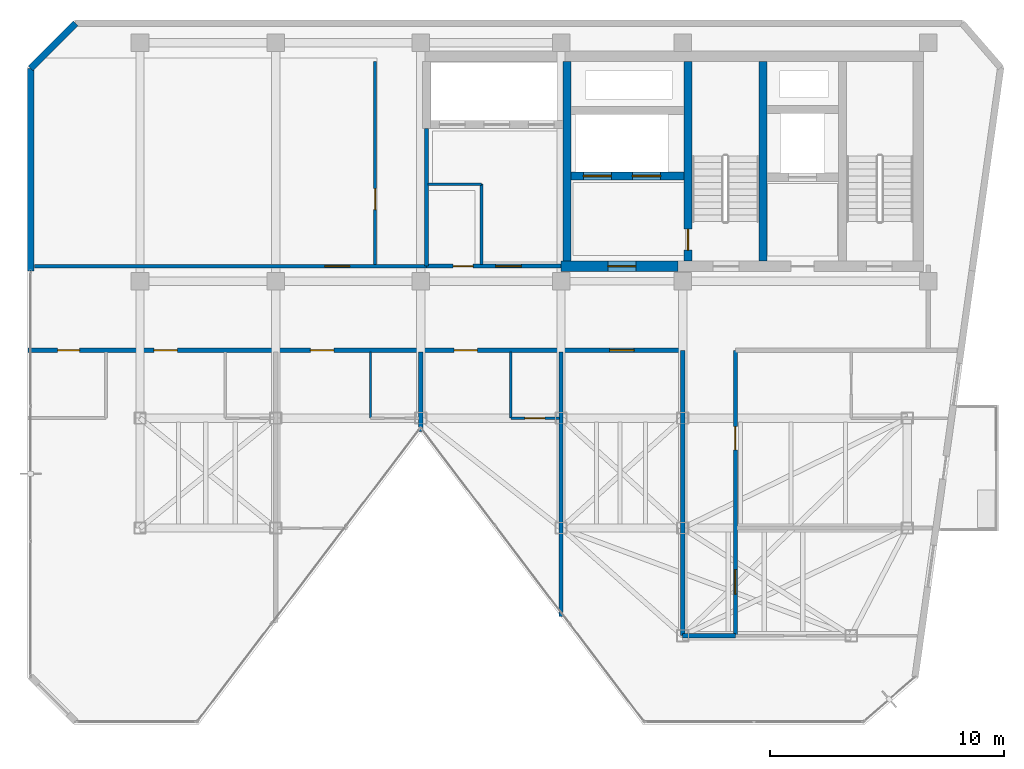
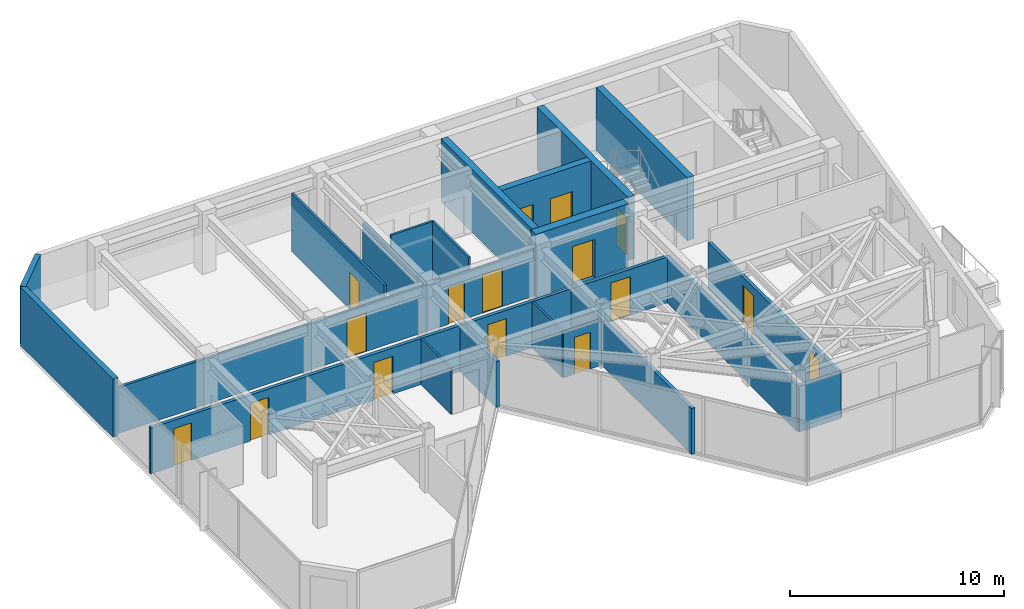
# One storey, part 15 of 19: 22 walls, 16 doors, 16 openings.
"""IFC4 building model written with IfcOpenShell, lengths in metres."""

from ifc_helpers import new_model, si_unit, direction, frame, frame_2d, origin, place, context, subcontext, project, spatial, rectangle, extrude, material, layer, layer_set, type_object, element, fill, save


model = new_model("IFC4")

# Units and contexts
model_context = context("Model", 3, precision=1e-05, world=origin(), true_north=direction((0.0, 1.0)))
body_context = subcontext(model_context, "Body", "Model", "MODEL_VIEW")
ifc_project = project(units=[si_unit("LENGTHUNIT", "METRE"), si_unit("AREAUNIT", "SQUARE_METRE"), si_unit("VOLUMEUNIT", "CUBIC_METRE"), si_unit("PLANEANGLEUNIT", "RADIAN"), si_unit("MASSUNIT", "GRAM", prefix="KILO")], contexts=[model_context])

# Site, building, storey
site_placement = place(None, origin())
site = spatial("IfcSite", under=ifc_project, at=site_placement, CompositionType="ELEMENT")
building_placement = place(site_placement, origin())
building = spatial("IfcBuilding", under=site, at=building_placement, Name="Kravanh Interchange Tower", CompositionType="ELEMENT")
storey_placement = place(building_placement, frame((0.0, 0.0, 274.199951171875)))
storey = spatial("IfcBuildingStorey", under=building, at=storey_placement, Name="L67", CompositionType="ELEMENT", Elevation=274.199951171875)

# Walls
ifc_material_1 = material(Name="Double Acoustic Gypsum Board and Mineral Wool")
ifc_layer_1 = layer(ifc_material_1, 0.1201171875)
ifc_layer_set_1 = layer_set([ifc_layer_1], Name="Acoustic Office Drywall Partition 120mm")
wall_type_1 = type_object("IfcWallType", Name="Acoustic Office Drywall Partition 120mm", PredefinedType="PARTITIONING", material=ifc_layer_set_1)
wall_1_placement = place(storey_placement, frame((47.39990234375, 38.068115234375, 0.0), z_axis=(0.0, 0.0, 1.0), x_axis=(0.0, 1.0, 0.0)))
element("IfcWall", 1, at=wall_1_placement, inside=storey, type_object=wall_type_1, Name="L67 Interior Partition 2", PredefinedType="PARTITIONING", context=body_context, shape_type="SweptSolid", body=[
    extrude(rectangle(XDim=3.431884765625, YDim=0.1201171875, at=frame_2d((1.7158203125, 0.0))), origin(), (0.0, 0.0, 1.0), 3.320068359375),
])
wall_2_placement = place(storey_placement, frame((45.117919921875, 41.5, 0.0), z_axis=(0.0, 0.0, 1.0), x_axis=(1.0, 0.0, 0.0)))
element("IfcWall", 2, at=wall_2_placement, inside=storey, type_object=wall_type_1, Name="L67 Interior Partition 3", PredefinedType="PARTITIONING", context=body_context, shape_type="SweptSolid", body=[
    extrude(rectangle(XDim=2.281982421875, YDim=0.1201171875, at=frame_2d((1.14111328125, 0.0))), origin(), (0.0, 0.0, 1.0), 3.320068359375),
])

# Wall, opening, door
wall_3_placement = place(storey_placement, frame((42.85009765625, 38.068115234375, 0.0), z_axis=(0.0, 0.0, 1.0), x_axis=(0.0, 1.0, 0.0)))
wall_3 = element("IfcWall", 3, at=wall_3_placement, inside=storey, type_object=wall_type_1, Name="L67 Interior Partition 7", PredefinedType="PARTITIONING", context=body_context, shape_type="SweptSolid", body=[
    extrude(rectangle(XDim=8.681884765625, YDim=0.1201171875, at=frame_2d((4.3408203125, 0.0))), origin(), (0.0, 0.0, 1.0), 3.320068359375),
])
opening_1_placement = place(wall_3_placement, frame((2.341796875, 0.0, 0.0)))
opening_1 = element("IfcOpeningElement", 4, at=opening_1_placement, cuts=wall_3, Name="Opening D-90", PredefinedType="OPENING", context=body_context, shape_type="SweptSolid", body=[
    extrude(rectangle(XDim=0.89990234375, YDim=2.10009765625, at=frame_2d((0.449951171875, 1.050048828125))), frame((0.0, 0.070068359375, 0.0), z_axis=(0.0, -1.0, 0.0), x_axis=(1.0, 0.0, 0.0)), (0.0, 0.0, 1.0), 0.14013671875),
])
ifc_material_2 = material(Name="Painted Solid-Core Timber", Category="wood")
door_type_1 = type_object("IfcDoorType", Name="Service Room Door 900x2100", OperationType="NOTDEFINED", PredefinedType="DOOR", material=ifc_material_2)
door_1_placement = place(opening_1_placement, origin())
door_1 = element("IfcDoor", 5, at=door_1_placement, inside=storey, type_object=door_type_1, Name="L67 Housekeeping Inner Door", OperationType="SINGLE_SWING_LEFT", OverallHeight=2.10009765625, OverallWidth=0.89990234375, PredefinedType="DOOR", context=body_context, shape_type="SweptSolid", body=[
    extrude(rectangle(XDim=0.89990234375, YDim=2.10009765625, at=frame_2d((0.449951171875, 1.050048828125))), frame((0.0, 0.02490234375, 0.0), z_axis=(0.0, -1.0, 0.0), x_axis=(1.0, 0.0, 0.0)), (0.0, 0.0, 1.0), 0.050048828125),
])
fill(opening_1, door_1)

# Wall
ifc_material_3 = material(Name="Concrete C60/75", Category="concrete")
ifc_layer_2 = layer(ifc_material_3, 0.35009765625)
ifc_layer_set_2 = layer_set([ifc_layer_2], Name="Core Shear Wall Concrete C60/75 350mm")
wall_type_2 = type_object("IfcWallType", Name="Core Shear Wall Concrete C60/75 350mm", PredefinedType="SHEAR", material=ifc_layer_set_2)
wall_4_placement = place(storey_placement, frame((59.425048828125, 38.22509765625, 0.0), z_axis=(0.0, 0.0, 1.0), x_axis=(0.0, 1.0, 0.0)))
element("IfcWall", 6, at=wall_4_placement, inside=storey, type_object=wall_type_2, Name="L67 Stair ST2 East Shear Wall", PredefinedType="SHEAR", context=body_context, shape_type="SweptSolid", body=[
    extrude(rectangle(XDim=8.52490234375, YDim=0.35009765625, at=frame_2d((4.262451171875, 0.0))), origin(), (0.0, 0.0, 1.0), 3.60009765625),
])

# Wall, opening, door
wall_5_placement = place(storey_placement, frame((56.22509765625, 38.22509765625, 0.0), z_axis=(0.0, 0.0, 1.0), x_axis=(0.0, 1.0, 0.0)))
wall_5 = element("IfcWall", 7, at=wall_5_placement, inside=storey, type_object=wall_type_2, Name="L67 Stair ST2 West Shear Wall", PredefinedType="SHEAR", context=body_context, shape_type="SweptSolid", body=[
    extrude(rectangle(XDim=8.52490234375, YDim=0.35009765625, at=frame_2d((4.262451171875, 0.0))), origin(), (0.0, 0.0, 1.0), 3.60009765625),
])
opening_2_placement = place(wall_5_placement, frame((0.455078125, 0.0, 0.0)))
opening_2 = element("IfcOpeningElement", 8, at=opening_2_placement, cuts=wall_5, Name="Opening D-STAIR-90", PredefinedType="OPENING", context=body_context, shape_type="SweptSolid", body=[
    extrude(rectangle(XDim=0.89990234375, YDim=2.14990234375, at=frame_2d((0.449951171875, 1.074951171875))), frame((0.0, 0.18505859375, 0.0), z_axis=(0.0, -1.0, 0.0), x_axis=(1.0, 0.0, 0.0)), (0.0, 0.0, 1.0), 0.3701171875),
])
ifc_material_4 = material(Name="Structural Steel S355", Category="steel")
door_type_2 = type_object("IfcDoorType", Name="Fire-Rated Stair Lobby Door 900x2150", OperationType="NOTDEFINED", PredefinedType="DOOR", material=ifc_material_4)
door_2_placement = place(opening_2_placement, origin())
door_2 = element("IfcDoor", 9, at=door_2_placement, inside=storey, type_object=door_type_2, Name="L67 Firefighting Lobby to Stair ST2 Door", OperationType="SINGLE_SWING_LEFT", OverallHeight=2.14990234375, OverallWidth=0.89990234375, PredefinedType="DOOR", context=body_context, shape_type="SweptSolid", body=[
    extrude(rectangle(XDim=0.89990234375, YDim=2.14990234375, at=frame_2d((0.449951171875, 1.074951171875))), frame((0.0, 0.02490234375, 0.0), z_axis=(0.0, -1.0, 0.0), x_axis=(1.0, 0.0, 0.0)), (0.0, 0.0, 1.0), 0.050048828125),
])
fill(opening_2, door_2)

# Wall, openings, doors
wall_6_placement = place(storey_placement, frame((51.22509765625, 41.85009765625, 0.0), z_axis=(0.0, 0.0, 1.0), x_axis=(1.0, 0.0, 0.0)))
wall_6 = element("IfcWall", 10, at=wall_6_placement, inside=storey, type_object=wall_type_2, Name="L67 Fire Lift Shaft South Wall", PredefinedType="SHEAR", context=body_context, shape_type="SweptSolid", body=[
    extrude(rectangle(XDim=4.824951171875, YDim=0.35009765625, at=frame_2d((2.41259765625, 0.0))), origin(), (0.0, 0.0, 1.0), 3.60009765625),
])
opening_3_placement = place(wall_6_placement, frame((0.52490234375, 0.0, 0.0)))
opening_3 = element("IfcOpeningElement", 11, at=opening_3_placement, cuts=wall_6, Name="Opening LD02", PredefinedType="OPENING", context=body_context, shape_type="SweptSolid", body=[
    extrude(rectangle(XDim=1.199951171875, YDim=2.199951171875, at=frame_2d((0.60009765625, 1.10009765625))), frame((0.0, 0.18505859375, 0.0), z_axis=(0.0, -1.0, 0.0), x_axis=(1.0, 0.0, 0.0)), (0.0, 0.0, 1.0), 0.3701171875),
])
opening_4_placement = place(wall_6_placement, frame((2.625, 0.0, 0.0)))
opening_4 = element("IfcOpeningElement", 12, at=opening_4_placement, cuts=wall_6, Name="Opening LD02", PredefinedType="OPENING", context=body_context, shape_type="SweptSolid", body=[
    extrude(rectangle(XDim=1.199951171875, YDim=2.199951171875, at=frame_2d((0.60009765625, 1.10009765625))), frame((0.0, 0.18505859375, 0.0), z_axis=(0.0, -1.0, 0.0), x_axis=(1.0, 0.0, 0.0)), (0.0, 0.0, 1.0), 0.3701171875),
])
ifc_material_5 = material(Name="Stainless Steel 316", Category="steel")
door_type_3 = type_object("IfcDoorType", Name="Fire and Service Lift Sliding Landing Door 1200x2200", OperationType="DOUBLE_DOOR_SLIDING", PredefinedType="DOOR", material=ifc_material_5)
door_3_placement = place(opening_3_placement, origin())
door_3 = element("IfcDoor", 13, at=door_3_placement, inside=storey, type_object=door_type_3, Name="L67 Lift FSAE-01 Landing Door", OperationType="DOUBLE_DOOR_SLIDING", OverallHeight=2.199951171875, OverallWidth=1.199951171875, PredefinedType="DOOR", context=body_context, shape_type="SweptSolid", body=[
    extrude(rectangle(XDim=1.199951171875, YDim=2.199951171875, at=frame_2d((0.60009765625, 1.10009765625))), frame((0.0, 0.02490234375, 0.0), z_axis=(0.0, -1.0, 0.0), x_axis=(1.0, 0.0, 0.0)), (0.0, 0.0, 1.0), 0.050048828125),
])
fill(opening_3, door_3)
door_4_placement = place(opening_4_placement, origin())
door_4 = element("IfcDoor", 14, at=door_4_placement, inside=storey, type_object=door_type_3, Name="L67 Lift FSAE-02 Landing Door", OperationType="DOUBLE_DOOR_SLIDING", OverallHeight=2.199951171875, OverallWidth=1.199951171875, PredefinedType="DOOR", context=body_context, shape_type="SweptSolid", body=[
    extrude(rectangle(XDim=1.199951171875, YDim=2.199951171875, at=frame_2d((0.60009765625, 1.10009765625))), frame((0.0, 0.02490234375, 0.0), z_axis=(0.0, -1.0, 0.0), x_axis=(1.0, 0.0, 0.0)), (0.0, 0.0, 1.0), 0.050048828125),
])
fill(opening_4, door_4)

# Wall
wall_7_placement = place(storey_placement, frame((51.050048828125, 38.22509765625, 0.0), z_axis=(0.0, 0.0, 1.0), x_axis=(0.0, 1.0, 0.0)))
element("IfcWall", 15, at=wall_7_placement, inside=storey, type_object=wall_type_2, Name="L67 Firefighting Lobby West Wall", PredefinedType="SHEAR", context=body_context, shape_type="SweptSolid", body=[
    extrude(rectangle(XDim=8.52490234375, YDim=0.35009765625, at=frame_2d((4.262451171875, 0.0))), origin(), (0.0, 0.0, 1.0), 3.60009765625),
])

# Wall, opening, door
ifc_material_6 = material(Name="Concrete C60/75", Category="concrete")
ifc_layer_3 = layer(ifc_material_6, 0.449951171875)
ifc_layer_set_3 = layer_set([ifc_layer_3], Name="Core Shear Wall Concrete C60/75 450mm")
wall_type_3 = type_object("IfcWallType", Name="Core Shear Wall Concrete C60/75 450mm", PredefinedType="SHEAR", material=ifc_layer_set_3)
wall_8_placement = place(storey_placement, frame((50.800048828125, 38.0, 0.0), z_axis=(0.0, 0.0, 1.0), x_axis=(1.0, 0.0, 0.0)))
wall_8 = element("IfcWall", 16, at=wall_8_placement, inside=storey, type_object=wall_type_3, Name="L67 Firefighting Lobby South Shear Wall", PredefinedType="SHEAR", context=body_context, shape_type="SweptSolid", body=[
    extrude(rectangle(XDim=5.0, YDim=0.449951171875, at=frame_2d((2.5, 0.0))), origin(), (0.0, 0.0, 1.0), 3.60009765625),
])
opening_5_placement = place(wall_8_placement, frame((2.0, 0.0, 0.0)))
opening_5 = element("IfcOpeningElement", 17, at=opening_5_placement, cuts=wall_8, Name="Opening D-FSAE-120", PredefinedType="OPENING", context=body_context, shape_type="SweptSolid", body=[
    extrude(rectangle(XDim=1.199951171875, YDim=2.199951171875, at=frame_2d((0.60009765625, 1.10009765625))), frame((0.0, 0.23486328125, 0.0), z_axis=(0.0, -1.0, 0.0), x_axis=(1.0, 0.0, 0.0)), (0.0, 0.0, 1.0), 0.469970703125),
])
ifc_material_7 = material(Name="Structural Steel S355", Category="steel")
door_type_4 = type_object("IfcDoorType", Name="Fire-Rated Refuge and FSAE Door 1200x2200", OperationType="NOTDEFINED", PredefinedType="DOOR", material=ifc_material_7)
door_5_placement = place(opening_5_placement, origin())
door_5 = element("IfcDoor", 18, at=door_5_placement, inside=storey, type_object=door_type_4, Name="L67 Firefighting Lobby Corridor Door", OperationType="SINGLE_SWING_RIGHT", OverallHeight=2.199951171875, OverallWidth=1.199951171875, PredefinedType="DOOR", context=body_context, shape_type="SweptSolid", body=[
    extrude(rectangle(XDim=1.199951171875, YDim=2.199951171875, at=frame_2d((0.60009765625, 1.10009765625))), frame((0.0, 0.02490234375, 0.0), z_axis=(0.0, -1.0, 0.0), x_axis=(1.0, 0.0, 0.0)), (0.0, 0.0, 1.0), 0.050048828125),
])
fill(opening_5, door_5)

# Walls
ifc_material_8 = material(Name="Moisture-Resistant Gypsum Board and Mineral Wool")
ifc_layer_4 = layer(ifc_material_8, 0.10009765625)
ifc_layer_set_4 = layer_set([ifc_layer_4], Name="En-Suite Moisture-Resistant Partition 100mm")
wall_type_4 = type_object("IfcWallType", Name="En-Suite Moisture-Resistant Partition 100mm", PredefinedType="PARTITIONING", material=ifc_layer_set_4)
for number, where, z_axis, x_axis, name in (
    (19, (42.64990234375, 31.5, 0.0), (0.0, 0.0, 1.0), (0.0, 1.0, 0.0), "L67 Interior Partition 24"),
    (20, (48.64990234375, 31.5, 0.0), (0.0, 0.0, 1.0), (0.0, 1.0, 0.0), "L67 Interior Partition 27"),
):
    element("IfcWall", number, at=place(storey_placement, frame(where, z_axis=z_axis, x_axis=x_axis)), inside=storey, type_object=wall_type_4, Name=name, PredefinedType="PARTITIONING", context=body_context, shape_type="SweptSolid", body=[
        extrude(rectangle(XDim=2.83203125, YDim=0.10009765625, at=frame_2d((1.416015625, 0.0))), origin(), (0.0, 0.0, 1.0), 2.6240234375),
    ])

# Wall, opening, door
wall_9_placement = place(storey_placement, frame((48.64990234375, 31.5, 0.0), z_axis=(0.0, 0.0, 1.0), x_axis=(1.0, 0.0, 0.0)))
wall_9 = element("IfcWall", 21, at=wall_9_placement, inside=storey, type_object=wall_type_4, Name="L67 Interior Partition 28", PredefinedType="PARTITIONING", context=body_context, shape_type="SweptSolid", body=[
    extrude(rectangle(XDim=2.08203125, YDim=0.10009765625, at=frame_2d((1.041015625, 0.0))), origin(), (0.0, 0.0, 1.0), 2.6240234375),
])
opening_6_placement = place(wall_9_placement, frame((0.607421875, 0.0, 0.0)))
opening_6 = element("IfcOpeningElement", 22, at=opening_6_placement, cuts=wall_9, Name="Opening D-85", PredefinedType="OPENING", context=body_context, shape_type="SweptSolid", body=[
    extrude(rectangle(XDim=0.85009765625, YDim=2.10009765625, at=frame_2d((0.425048828125, 1.050048828125))), frame((0.0, 0.06005859375, 0.0), z_axis=(0.0, -1.0, 0.0), x_axis=(1.0, 0.0, 0.0)), (0.0, 0.0, 1.0), 0.1201171875),
])
ifc_material_9 = material(Name="Engineered Teak Veneer Timber", Category="wood")
door_type_5 = type_object("IfcDoorType", Name="En-Suite Timber Door 850x2100", OperationType="NOTDEFINED", PredefinedType="DOOR", material=ifc_material_9)
door_6_placement = place(opening_6_placement, origin())
door_6 = element("IfcDoor", 23, at=door_6_placement, inside=storey, type_object=door_type_5, Name="L67 En-suite Bathroom Door", OperationType="SINGLE_SWING_LEFT", OverallHeight=2.10009765625, OverallWidth=0.85009765625, PredefinedType="DOOR", context=body_context, shape_type="SweptSolid", body=[
    extrude(rectangle(XDim=0.85009765625, YDim=2.10009765625, at=frame_2d((0.425048828125, 1.050048828125))), frame((0.0, 0.02490234375, 0.0), z_axis=(0.0, -1.0, 0.0), x_axis=(1.0, 0.0, 0.0)), (0.0, 0.0, 1.0), 0.050048828125),
])
fill(opening_6, door_6)

# Walls
ifc_material_10 = material(Name="Insulated Precast Concrete C40/50 with Bronze Cladding", Category="concrete")
ifc_layer_5 = layer(ifc_material_10, 0.280029296875)
ifc_layer_set_5 = layer_set([ifc_layer_5], Name="Exterior Insulated Concrete C40/50 Bronze Spandrel Wall 280mm")
wall_type_5 = type_object("IfcWallType", Name="Exterior Insulated Concrete C40/50 Bronze Spandrel Wall 280mm", PredefinedType="STANDARD", material=ifc_layer_set_5)
wall_10_placement = place(storey_placement, frame((28.1201171875, 37.800048828125, 0.0), z_axis=(0.0, 0.0, 1.0), x_axis=(0.0, 1.0, 0.0)))
element("IfcWall", 24, at=wall_10_placement, inside=storey, type_object=wall_type_5, Name="L67 Exterior Wall 1", PredefinedType="STANDARD", context=body_context, shape_type="SweptSolid", body=[
    extrude(rectangle(XDim=8.650146484375, YDim=0.280029296875, at=frame_2d((4.3251953125, 0.0))), origin(), (0.0, 0.0, 1.0), 3.320068359375),
])
wall_11_placement = place(storey_placement, frame((28.1201171875, 46.4501953125, 0.0), z_axis=(0.0, 0.0, 1.0), x_axis=(0.707106781187, 0.707106781187, 0.0)))
element("IfcWall", 25, at=wall_11_placement, inside=storey, type_object=wall_type_5, Name="L67 Exterior Wall 2", PredefinedType="STANDARD", context=body_context, shape_type="SweptSolid", body=[
    extrude(rectangle(XDim=2.72900390625, YDim=0.280029296875, at=frame_2d((1.364501953125, 0.0))), origin(), (0.0, 0.0, 1.0), 3.320068359375),
])

# Wall, openings, doors
ifc_material_11 = material(Name="Autoclaved Aerated Concrete C30/37 Blockwork", Category="masonry")
ifc_layer_6 = layer(ifc_material_11, 0.179931640625)
ifc_layer_set_6 = layer_set([ifc_layer_6], Name="Fire-Rated Lobby and Corridor Wall Concrete C30/37 180mm")
wall_type_6 = type_object("IfcWallType", Name="Fire-Rated Lobby and Corridor Wall Concrete C30/37 180mm", PredefinedType="STANDARD", material=ifc_layer_set_6)
wall_12_placement = place(storey_placement, frame((45.050048828125, 38.0, 0.0), z_axis=(0.0, 0.0, 1.0), x_axis=(1.0, 0.0, 0.0)))
wall_12 = element("IfcWall", 26, at=wall_12_placement, inside=storey, type_object=wall_type_6, Name="L67 High-Rise Lift Lobby Wall 1", PredefinedType="STANDARD", context=body_context, shape_type="SweptSolid", body=[
    extrude(rectangle(XDim=5.75, YDim=0.179931640625, at=frame_2d((2.875, 0.0))), origin(), (0.0, 0.0, 1.0), 2.6240234375),
])
opening_7_placement = place(wall_12_placement, frame((1.135009765625, 0.0, 0.0)))
opening_7 = element("IfcOpeningElement", 27, at=opening_7_placement, cuts=wall_12, Name="Opening D-85", PredefinedType="OPENING", context=body_context, shape_type="SweptSolid", body=[
    extrude(rectangle(XDim=0.85009765625, YDim=2.10009765625, at=frame_2d((0.425048828125, 1.050048828125))), frame((0.0, 0.10009765625, 0.0), z_axis=(0.0, -1.0, 0.0), x_axis=(1.0, 0.0, 0.0)), (0.0, 0.0, 1.0), 0.199951171875),
])
opening_8_placement = place(wall_12_placement, frame((2.949951171875, 0.0, 0.0)))
opening_8 = element("IfcOpeningElement", 28, at=opening_8_placement, cuts=wall_12, Name="Opening D-SHAFT-110", PredefinedType="OPENING", context=body_context, shape_type="SweptSolid", body=[
    extrude(rectangle(XDim=1.10009765625, YDim=2.199951171875, at=frame_2d((0.550048828125, 1.10009765625))), frame((0.0, 0.10009765625, 0.0), z_axis=(0.0, -1.0, 0.0), x_axis=(1.0, 0.0, 0.0)), (0.0, 0.0, 1.0), 0.199951171875),
])
door_7_placement = place(opening_7_placement, origin())
door_7 = element("IfcDoor", 29, at=door_7_placement, inside=storey, type_object=door_type_5, Name="L67 Core Linen Closet Door", OperationType="SINGLE_SWING_RIGHT", OverallHeight=2.10009765625, OverallWidth=0.85009765625, PredefinedType="DOOR", context=body_context, shape_type="SweptSolid", body=[
    extrude(rectangle(XDim=0.85009765625, YDim=2.10009765625, at=frame_2d((0.425048828125, 1.050048828125))), frame((0.0, 0.02490234375, 0.0), z_axis=(0.0, -1.0, 0.0), x_axis=(1.0, 0.0, 0.0)), (0.0, 0.0, 1.0), 0.050048828125),
])
fill(opening_7, door_7)
ifc_material_12 = material(Name="Fire-Rated Composite Timber Leaf", Category="wood")
door_type_6 = type_object("IfcDoorType", Name="Fire-Rated Core Support Door 1100x2200", OperationType="NOTDEFINED", PredefinedType="DOOR", material=ifc_material_12)
door_8_placement = place(opening_8_placement, origin())
door_8 = element("IfcDoor", 30, at=door_8_placement, inside=storey, type_object=door_type_6, Name="L67 High-Rise Lift Lobby Door", OperationType="SINGLE_SWING_LEFT", OverallHeight=2.199951171875, OverallWidth=1.10009765625, PredefinedType="DOOR", context=body_context, shape_type="SweptSolid", body=[
    extrude(rectangle(XDim=1.10009765625, YDim=2.199951171875, at=frame_2d((0.550048828125, 1.10009765625))), frame((0.0, 0.02490234375, 0.0), z_axis=(0.0, -1.0, 0.0), x_axis=(1.0, 0.0, 0.0)), (0.0, 0.0, 1.0), 0.050048828125),
])
fill(opening_8, door_8)

# Wall
wall_13_placement = place(storey_placement, frame((45.050048828125, 38.0, 0.0), z_axis=(0.0, 0.0, 1.0), x_axis=(0.0, 1.0, 0.0)))
element("IfcWall", 31, at=wall_13_placement, inside=storey, type_object=wall_type_6, Name="L67 Interior Partition 4", PredefinedType="STANDARD", context=body_context, shape_type="SweptSolid", body=[
    extrude(rectangle(XDim=5.875, YDim=0.179931640625, at=frame_2d((2.9375, 0.0))), origin(), (0.0, 0.0, 1.0), 2.6240234375),
])

# Wall, openings, doors
wall_14_placement = place(storey_placement, frame((28.014892578125, 34.39990234375, 0.0), z_axis=(0.0, 0.0, 1.0), x_axis=(1.0, 0.0, 0.0)))
wall_14 = element("IfcWall", 32, at=wall_14_placement, inside=storey, type_object=wall_type_6, Name="L67 Interior Partition 8", PredefinedType="STANDARD", context=body_context, shape_type="SweptSolid", body=[
    extrude(rectangle(XDim=27.985107421875, YDim=0.179931640625, at=frame_2d((13.99267578125, 0.0))), origin(), (0.0, 0.0, 1.0), 2.6240234375),
])
opening_9_placement = place(wall_14_placement, frame((1.25927734375, 0.0, 0.0)))
opening_9 = element("IfcOpeningElement", 33, at=opening_9_placement, cuts=wall_14, Name="Opening D-95", PredefinedType="OPENING", context=body_context, shape_type="SweptSolid", body=[
    extrude(rectangle(XDim=0.949951171875, YDim=2.14990234375, at=frame_2d((0.47509765625, 1.074951171875))), frame((0.0, 0.10009765625, 0.0), z_axis=(0.0, -1.0, 0.0), x_axis=(1.0, 0.0, 0.0)), (0.0, 0.0, 1.0), 0.199951171875),
])
opening_10_placement = place(wall_14_placement, frame((5.3798828125, 0.0, 0.0)))
opening_10 = element("IfcOpeningElement", 34, at=opening_10_placement, cuts=wall_14, Name="Opening D-HOTEL-100", PredefinedType="OPENING", context=body_context, shape_type="SweptSolid", body=[
    extrude(rectangle(XDim=1.0, YDim=2.14990234375, at=frame_2d((0.5, 1.074951171875))), frame((0.0, 0.10009765625, 0.0), z_axis=(0.0, -1.0, 0.0), x_axis=(1.0, 0.0, 0.0)), (0.0, 0.0, 1.0), 0.199951171875),
])
opening_11_placement = place(wall_14_placement, frame((12.06982421875, 0.0, 0.0)))
opening_11 = element("IfcOpeningElement", 35, at=opening_11_placement, cuts=wall_14, Name="Opening D-HOTEL-100", PredefinedType="OPENING", context=body_context, shape_type="SweptSolid", body=[
    extrude(rectangle(XDim=1.0, YDim=2.14990234375, at=frame_2d((0.5, 1.074951171875))), frame((0.0, 0.10009765625, 0.0), z_axis=(0.0, -1.0, 0.0), x_axis=(1.0, 0.0, 0.0)), (0.0, 0.0, 1.0), 0.199951171875),
])
opening_12_placement = place(wall_14_placement, frame((18.2099609375, 0.0, 0.0)))
opening_12 = element("IfcOpeningElement", 36, at=opening_12_placement, cuts=wall_14, Name="Opening D-HOTEL-100", PredefinedType="OPENING", context=body_context, shape_type="SweptSolid", body=[
    extrude(rectangle(XDim=1.0, YDim=2.14990234375, at=frame_2d((0.5, 1.074951171875))), frame((0.0, 0.10009765625, 0.0), z_axis=(0.0, -1.0, 0.0), x_axis=(1.0, 0.0, 0.0)), (0.0, 0.0, 1.0), 0.199951171875),
])
opening_13_placement = place(wall_14_placement, frame((24.860107421875, 0.0, 0.0)))
opening_13 = element("IfcOpeningElement", 37, at=opening_13_placement, cuts=wall_14, Name="Opening D-105", PredefinedType="OPENING", context=body_context, shape_type="SweptSolid", body=[
    extrude(rectangle(XDim=1.050048828125, YDim=2.199951171875, at=frame_2d((0.52490234375, 1.10009765625))), frame((0.0, 0.10009765625, 0.0), z_axis=(0.0, -1.0, 0.0), x_axis=(1.0, 0.0, 0.0)), (0.0, 0.0, 1.0), 0.199951171875),
])
ifc_material_13 = material(Name="Laminate Solid-Core Timber", Category="wood")
door_type_7 = type_object("IfcDoorType", Name="Accessible Restroom Door 950x2150", OperationType="NOTDEFINED", PredefinedType="DOOR", material=ifc_material_13)
door_9_placement = place(opening_9_placement, origin())
door_9 = element("IfcDoor", 38, at=door_9_placement, inside=storey, type_object=door_type_7, Name="L67 Accessible WC Door", OperationType="SINGLE_SWING_RIGHT", OverallHeight=2.14990234375, OverallWidth=0.949951171875, PredefinedType="DOOR", context=body_context, shape_type="SweptSolid", body=[
    extrude(rectangle(XDim=0.949951171875, YDim=2.14990234375, at=frame_2d((0.47509765625, 1.074951171875))), frame((0.0, 0.02490234375, 0.0), z_axis=(0.0, -1.0, 0.0), x_axis=(1.0, 0.0, 0.0)), (0.0, 0.0, 1.0), 0.050048828125),
])
fill(opening_9, door_9)
ifc_material_14 = material(Name="Fire-Rated Solid Timber Leaf", Category="wood")
door_type_8 = type_object("IfcDoorType", Name="Fire-Rated Suite Entrance Door 1000x2150", OperationType="NOTDEFINED", PredefinedType="DOOR", material=ifc_material_14)
door_10_placement = place(opening_10_placement, origin())
door_10 = element("IfcDoor", 39, at=door_10_placement, inside=storey, type_object=door_type_8, Name="L67 Hotel Guest Room 5A Entrance Door", OperationType="SINGLE_SWING_LEFT", OverallHeight=2.14990234375, OverallWidth=1.0, PredefinedType="DOOR", context=body_context, shape_type="SweptSolid", body=[
    extrude(rectangle(XDim=1.0, YDim=2.14990234375, at=frame_2d((0.5, 1.074951171875))), frame((0.0, 0.02490234375, 0.0), z_axis=(0.0, -1.0, 0.0), x_axis=(1.0, 0.0, 0.0)), (0.0, 0.0, 1.0), 0.050048828125),
])
fill(opening_10, door_10)
door_11_placement = place(opening_11_placement, origin())
door_11 = element("IfcDoor", 40, at=door_11_placement, inside=storey, type_object=door_type_8, Name="L67 Hotel Guest Room 5B Entrance Door", OperationType="SINGLE_SWING_RIGHT", OverallHeight=2.14990234375, OverallWidth=1.0, PredefinedType="DOOR", context=body_context, shape_type="SweptSolid", body=[
    extrude(rectangle(XDim=1.0, YDim=2.14990234375, at=frame_2d((0.5, 1.074951171875))), frame((0.0, 0.02490234375, 0.0), z_axis=(0.0, -1.0, 0.0), x_axis=(1.0, 0.0, 0.0)), (0.0, 0.0, 1.0), 0.050048828125),
])
fill(opening_11, door_11)
door_12_placement = place(opening_12_placement, origin())
door_12 = element("IfcDoor", 41, at=door_12_placement, inside=storey, type_object=door_type_8, Name="L67 Junior Hotel Suite Entrance Door", OperationType="SINGLE_SWING_RIGHT", OverallHeight=2.14990234375, OverallWidth=1.0, PredefinedType="DOOR", context=body_context, shape_type="SweptSolid", body=[
    extrude(rectangle(XDim=1.0, YDim=2.14990234375, at=frame_2d((0.5, 1.074951171875))), frame((0.0, 0.02490234375, 0.0), z_axis=(0.0, -1.0, 0.0), x_axis=(1.0, 0.0, 0.0)), (0.0, 0.0, 1.0), 0.050048828125),
])
fill(opening_12, door_12)
ifc_material_15 = material(Name="Acoustic Glazed Oak and Aluminium", Category="aluminium")
door_type_9 = type_object("IfcDoorType", Name="Office Workplace Door 1050x2200", OperationType="NOTDEFINED", PredefinedType="DOOR", material=ifc_material_15)
door_13_placement = place(opening_13_placement, origin())
door_13 = element("IfcDoor", 42, at=door_13_placement, inside=storey, type_object=door_type_9, Name="L67 Hospitality Lounge 5F Door", OperationType="SINGLE_SWING_RIGHT", OverallHeight=2.199951171875, OverallWidth=1.050048828125, PredefinedType="DOOR", context=body_context, shape_type="SweptSolid", body=[
    extrude(rectangle(XDim=1.050048828125, YDim=2.199951171875, at=frame_2d((0.52490234375, 1.10009765625))), frame((0.0, 0.02490234375, 0.0), z_axis=(0.0, -1.0, 0.0), x_axis=(1.0, 0.0, 0.0)), (0.0, 0.0, 1.0), 0.050048828125),
])
fill(opening_13, door_13)

# Wall
wall_15_placement = place(storey_placement, frame((56.0, 22.199951171875, 0.0), z_axis=(0.0, 0.0, 1.0), x_axis=(0.0, 1.0, 0.0)))
element("IfcWall", 43, at=wall_15_placement, inside=storey, type_object=wall_type_6, Name="L67 Interior Partition 11", PredefinedType="STANDARD", context=body_context, shape_type="SweptSolid", body=[
    extrude(rectangle(XDim=12.199951171875, YDim=0.179931640625, at=frame_2d((6.10009765625, 0.0))), origin(), (0.0, 0.0, 1.0), 2.6240234375),
])

# Wall, openings, doors
wall_16_placement = place(storey_placement, frame((58.25, 22.199951171875, 0.0), z_axis=(0.0, 0.0, 1.0), x_axis=(0.0, 1.0, 0.0)))
wall_16 = element("IfcWall", 44, at=wall_16_placement, inside=storey, type_object=wall_type_6, Name="L67 Interior Partition 12", PredefinedType="STANDARD", context=body_context, shape_type="SweptSolid", body=[
    extrude(rectangle(XDim=12.199951171875, YDim=0.179931640625, at=frame_2d((6.10009765625, 0.0))), origin(), (0.0, 0.0, 1.0), 2.6240234375),
])
opening_14_placement = place(wall_16_placement, frame((1.77490234375, 0.0, 0.0)))
opening_14 = element("IfcOpeningElement", 45, at=opening_14_placement, cuts=wall_16, Name="Opening D-105", PredefinedType="OPENING", context=body_context, shape_type="SweptSolid", body=[
    extrude(rectangle(XDim=1.050048828125, YDim=2.199951171875, at=frame_2d((0.52490234375, 1.10009765625))), frame((0.0, 0.10009765625, 0.0), z_axis=(0.0, -1.0, 0.0), x_axis=(1.0, 0.0, 0.0)), (0.0, 0.0, 1.0), 0.199951171875),
])
opening_15_placement = place(wall_16_placement, frame((7.93994140625, 0.0, 0.0)))
opening_15 = element("IfcOpeningElement", 46, at=opening_15_placement, cuts=wall_16, Name="Opening D-HOTEL-100", PredefinedType="OPENING", context=body_context, shape_type="SweptSolid", body=[
    extrude(rectangle(XDim=1.0, YDim=2.14990234375, at=frame_2d((0.5, 1.074951171875))), frame((0.0, 0.10009765625, 0.0), z_axis=(0.0, -1.0, 0.0), x_axis=(1.0, 0.0, 0.0)), (0.0, 0.0, 1.0), 0.199951171875),
])
door_14_placement = place(opening_15_placement, origin())
door_14 = element("IfcDoor", 47, at=door_14_placement, inside=storey, type_object=door_type_8, Name="L67 Hotel Guest Room East Entrance Door", OperationType="SINGLE_SWING_LEFT", OverallHeight=2.14990234375, OverallWidth=1.0, PredefinedType="DOOR", context=body_context, shape_type="SweptSolid", body=[
    extrude(rectangle(XDim=1.0, YDim=2.14990234375, at=frame_2d((0.5, 1.074951171875))), frame((0.0, 0.02490234375, 0.0), z_axis=(0.0, -1.0, 0.0), x_axis=(1.0, 0.0, 0.0)), (0.0, 0.0, 1.0), 0.050048828125),
])
fill(opening_15, door_14)
door_15_placement = place(opening_14_placement, origin())
door_15 = element("IfcDoor", 48, at=door_15_placement, inside=storey, type_object=door_type_9, Name="L67 East Sky Salon Lounge Door", OperationType="SINGLE_SWING_LEFT", OverallHeight=2.199951171875, OverallWidth=1.050048828125, PredefinedType="DOOR", context=body_context, shape_type="SweptSolid", body=[
    extrude(rectangle(XDim=1.050048828125, YDim=2.199951171875, at=frame_2d((0.52490234375, 1.10009765625))), frame((0.0, 0.02490234375, 0.0), z_axis=(0.0, -1.0, 0.0), x_axis=(1.0, 0.0, 0.0)), (0.0, 0.0, 1.0), 0.050048828125),
])
fill(opening_14, door_15)

# Walls
wall_17_placement = place(storey_placement, frame((56.0, 22.199951171875, 0.0), z_axis=(0.0, 0.0, 1.0), x_axis=(1.0, 0.0, 0.0)))
element("IfcWall", 49, at=wall_17_placement, inside=storey, type_object=wall_type_6, Name="L67 Interior Partition 13", PredefinedType="STANDARD", context=body_context, shape_type="SweptSolid", body=[
    extrude(rectangle(XDim=2.25, YDim=0.179931640625, at=frame_2d((1.125, 0.0))), origin(), (0.0, 0.0, 1.0), 2.6240234375),
])
wall_18_placement = place(storey_placement, frame((44.800048828125, 30.9248046875, 0.0), z_axis=(0.0, 0.0, 1.0), x_axis=(0.0, 1.0, 0.0)))
element("IfcWall", 50, at=wall_18_placement, inside=storey, type_object=wall_type_6, Name="L67 Interior Partition 26", PredefinedType="STANDARD", context=body_context, shape_type="SweptSolid", body=[
    extrude(rectangle(XDim=3.4072265625, YDim=0.179931640625, at=frame_2d((1.70361328125, 0.0))), origin(), (0.0, 0.0, 1.0), 2.6240234375),
])
wall_19_placement = place(storey_placement, frame((50.800048828125, 23.030029296875, 0.0), z_axis=(0.0, 0.0, 1.0), x_axis=(0.0, 1.0, 0.0)))
element("IfcWall", 51, at=wall_19_placement, inside=storey, type_object=wall_type_6, Name="L67 Interior Partition 29", PredefinedType="STANDARD", context=body_context, shape_type="SweptSolid", body=[
    extrude(rectangle(XDim=11.302001953125, YDim=0.179931640625, at=frame_2d((5.65087890625, 0.0))), origin(), (0.0, 0.0, 1.0), 2.6240234375),
])

# Wall, opening, door
ifc_material_16 = material(Name="Twin Stud Acoustic Gypsum Board Wall")
ifc_layer_7 = layer(ifc_material_16, 0.14990234375)
ifc_layer_set_7 = layer_set([ifc_layer_7], Name="Medium-Duty Acoustic Partition 150mm")
wall_type_7 = type_object("IfcWallType", Name="Medium-Duty Acoustic Partition 150mm", PredefinedType="PARTITIONING", material=ifc_layer_set_7)
wall_20_placement = place(storey_placement, frame((28.284912109375, 38.0, 0.0), z_axis=(0.0, 0.0, 1.0), x_axis=(1.0, 0.0, 0.0)))
wall_20 = element("IfcWall", 52, at=wall_20_placement, inside=storey, type_object=wall_type_7, Name="L67 Interior Partition 5", PredefinedType="PARTITIONING", context=body_context, shape_type="SweptSolid", body=[
    extrude(rectangle(XDim=16.76513671875, YDim=0.14990234375, at=frame_2d((8.382568359375, 0.0))), origin(), (0.0, 0.0, 1.0), 2.6240234375),
])
opening_16_placement = place(wall_20_placement, frame((12.4228515625, 0.0, 0.0)))
opening_16 = element("IfcOpeningElement", 53, at=opening_16_placement, cuts=wall_20, Name="Opening D-105", PredefinedType="OPENING", context=body_context, shape_type="SweptSolid", body=[
    extrude(rectangle(XDim=1.050048828125, YDim=2.199951171875, at=frame_2d((0.52490234375, 1.10009765625))), frame((0.0, 0.0849609375, 0.0), z_axis=(0.0, -1.0, 0.0), x_axis=(1.0, 0.0, 0.0)), (0.0, 0.0, 1.0), 0.169921875),
])
door_16_placement = place(opening_16_placement, origin())
door_16 = element("IfcDoor", 54, at=door_16_placement, inside=storey, type_object=door_type_9, Name="L67 North Wellness Lounge Door", OperationType="SINGLE_SWING_RIGHT", OverallHeight=2.199951171875, OverallWidth=1.050048828125, PredefinedType="DOOR", context=body_context, shape_type="SweptSolid", body=[
    extrude(rectangle(XDim=1.050048828125, YDim=2.199951171875, at=frame_2d((0.52490234375, 1.10009765625))), frame((0.0, 0.02490234375, 0.0), z_axis=(0.0, -1.0, 0.0), x_axis=(1.0, 0.0, 0.0)), (0.0, 0.0, 1.0), 0.050048828125),
])
fill(opening_16, door_16)

save(model, "model.ifc")
